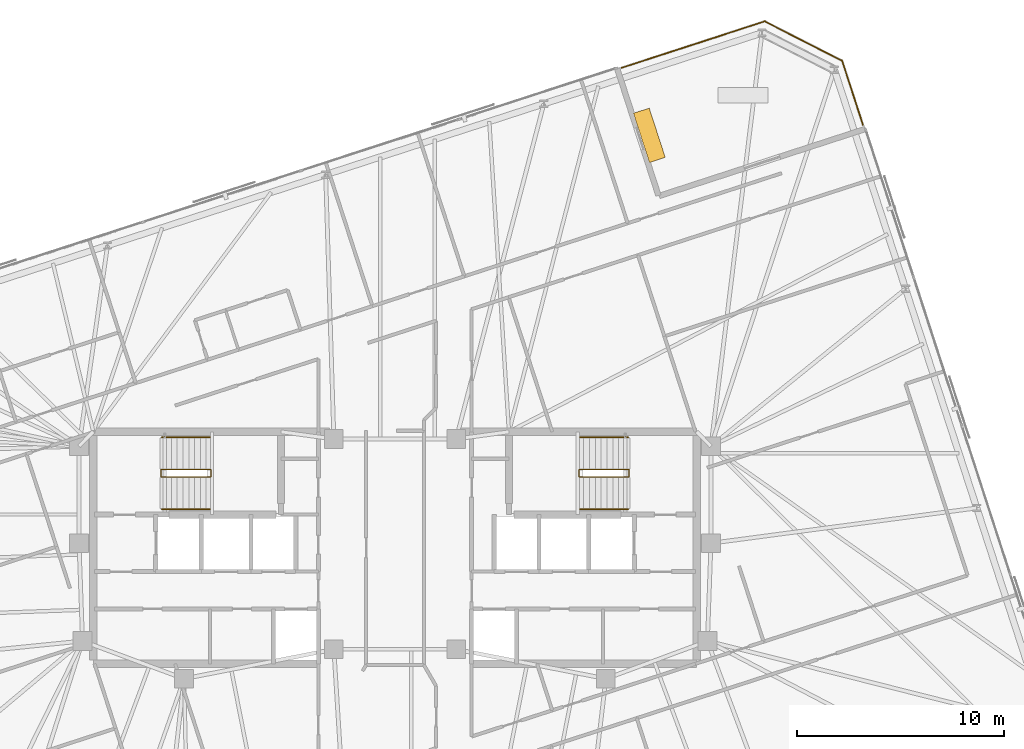
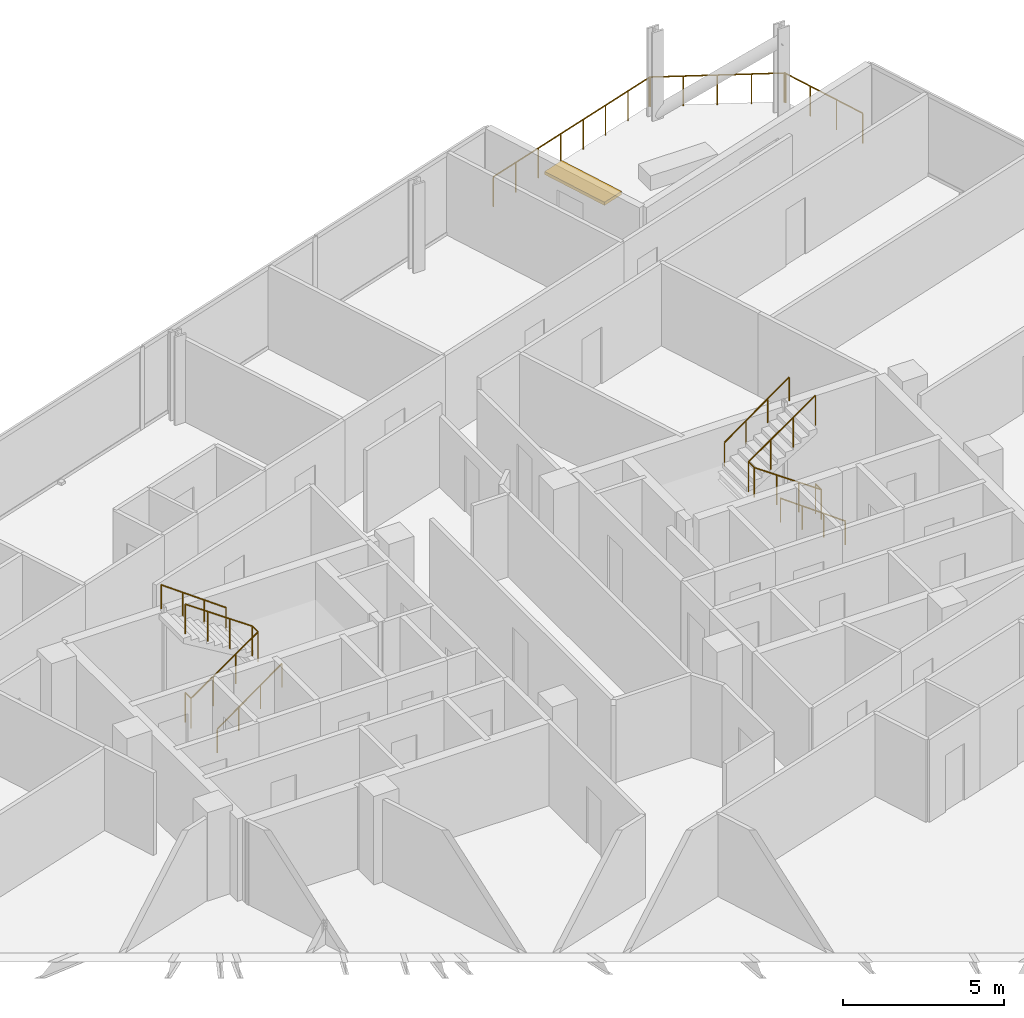
# One storey, part 19 of 19: 9 railings, 1 shading device.
"""IFC4 building model written with IfcOpenShell, lengths in metres."""

from ifc_helpers import new_model, si_unit, direction, frame, origin, origin_2d, place, context, subcontext, project, spatial, rectangle, circle, extrude, material, layer, layer_set, type_object, element, save


model = new_model("IFC4")

# Units and contexts
model_context = context("Model", 3, precision=1e-05, world=origin(), true_north=direction((0.0, 1.0)))
body_context = subcontext(model_context, "Body", "Model", "MODEL_VIEW")
ifc_project = project(units=[si_unit("LENGTHUNIT", "METRE"), si_unit("AREAUNIT", "SQUARE_METRE"), si_unit("VOLUMEUNIT", "CUBIC_METRE"), si_unit("PLANEANGLEUNIT", "RADIAN"), si_unit("MASSUNIT", "GRAM", prefix="KILO")], contexts=[model_context])

# Site, building, storey
site_placement = place(None, origin())
site = spatial("IfcSite", under=ifc_project, at=site_placement, CompositionType="ELEMENT")
building_placement = place(site_placement, origin())
building = spatial("IfcBuilding", under=site, at=building_placement, Name="Menara Jurai Vektor", CompositionType="ELEMENT")
storey_placement = place(building_placement, frame((0.0, 0.0, 231.0)))
storey = spatial("IfcBuildingStorey", under=building, at=storey_placement, Name="L61", CompositionType="ELEMENT", Elevation=231.0)

# Railings
ifc_material_1 = material(Name="Anodised Pale Aluminium & Laminated Glass Guardrail", Category="aluminium")
ifc_layer = layer(ifc_material_1, 0.070068359375)
ifc_layer_set = layer_set([ifc_layer], Name="Anodised Pale Aluminium & Laminated Glass Guardrail")
railing_type_1 = type_object("IfcRailingType", Name="ENV-RAIL-TER115", PredefinedType="GUARDRAIL", material=ifc_layer_set)
railing_1_placement = place(storey_placement, frame((22.5859375, 20.409423828125, 0.0)))
element("IfcRailing", 1, at=railing_1_placement, inside=storey, type_object=railing_type_1, Name="Spiral Terrace Guardrail L61-CRN-01", PredefinedType="GUARDRAIL", context=body_context, shape_type="SweptSolid", body=[
    extrude(circle(Radius=0.02392578125, at=origin_2d()), frame((0.0, 0.0, 1.1259765625), z_axis=(-0.30896152777, 0.9510745367, 0.0), x_axis=(-0.9510745367, -0.30896152777, 0.0)), (0.0, 0.0, 1.0), 3.280029296875),
    extrude(circle(Radius=0.02099609375, at=origin_2d()), origin(), (0.0, 0.0, 1.0), 1.101806640625),
    extrude(circle(Radius=0.02099609375, at=origin_2d()), frame((-0.337890625, 1.039794921875, 0.0)), (0.0, 0.0, 1.0), 1.101806640625),
    extrude(circle(Radius=0.02099609375, at=origin_2d()), frame((-0.675537109375, 2.079833984375, 0.0)), (0.0, 0.0, 1.0), 1.101806640625),
    extrude(circle(Radius=0.02099609375, at=origin_2d()), frame((-1.013427734375, 3.11962890625, 0.0)), (0.0, 0.0, 1.0), 1.101806640625),
])
railing_2_placement = place(storey_placement, frame((21.602294921875, 23.493896484375, 0.0)))
element("IfcRailing", 2, at=railing_2_placement, inside=storey, type_object=railing_type_1, Name="Spiral Terrace Guardrail L61-CRN-02", PredefinedType="GUARDRAIL", context=body_context, shape_type="SweptSolid", body=[
    extrude(circle(Radius=0.02392578125, at=origin_2d()), frame((0.0, 0.0, 1.1259765625), z_axis=(-0.890994700768, 0.454013703762, 0.0), x_axis=(-0.454013703762, -0.890994700768, 0.0)), (0.0, 0.0, 1.0), 4.24267578125),
    extrude(circle(Radius=0.02099609375, at=origin_2d()), origin(), (0.0, 0.0, 1.0), 1.101806640625),
    extrude(circle(Radius=0.02099609375, at=origin_2d()), frame((-0.945068359375, 0.4814453125, 0.0)), (0.0, 0.0, 1.0), 1.101806640625),
    extrude(circle(Radius=0.02099609375, at=origin_2d()), frame((-1.89013671875, 0.963134765625, 0.0)), (0.0, 0.0, 1.0), 1.101806640625),
    extrude(circle(Radius=0.02099609375, at=origin_2d()), frame((-2.835205078125, 1.44482421875, 0.0)), (0.0, 0.0, 1.0), 1.101806640625),
    extrude(circle(Radius=0.02099609375, at=origin_2d()), frame((-3.7802734375, 1.92626953125, 0.0)), (0.0, 0.0, 1.0), 1.101806640625),
])
railing_3_placement = place(storey_placement, frame((17.86767578125, 25.41650390625, 0.0)))
element("IfcRailing", 3, at=railing_3_placement, inside=storey, type_object=railing_type_1, Name="Spiral Terrace Guardrail L61-CRN-03", PredefinedType="GUARDRAIL", context=body_context, shape_type="SweptSolid", body=[
    extrude(circle(Radius=0.02392578125, at=origin_2d()), frame((0.0, 0.0, 1.1259765625), z_axis=(-0.951060435656, -0.309004931561, 0.0), x_axis=(0.309004931561, -0.951060435656, 0.0)), (0.0, 0.0, 1.0), 7.27978515625),
    extrude(circle(Radius=0.02099609375, at=origin_2d()), origin(), (0.0, 0.0, 1.0), 1.101806640625),
    extrude(circle(Radius=0.02099609375, at=origin_2d()), frame((-0.989013671875, -0.3212890625, 0.0)), (0.0, 0.0, 1.0), 1.101806640625),
    extrude(circle(Radius=0.02099609375, at=origin_2d()), frame((-1.978271484375, -0.642822265625, 0.0)), (0.0, 0.0, 1.0), 1.101806640625),
    extrude(circle(Radius=0.02099609375, at=origin_2d()), frame((-2.96728515625, -0.964111328125, 0.0)), (0.0, 0.0, 1.0), 1.101806640625),
    extrude(circle(Radius=0.02099609375, at=origin_2d()), frame((-3.956298828125, -1.285400390625, 0.0)), (0.0, 0.0, 1.0), 1.101806640625),
    extrude(circle(Radius=0.02099609375, at=origin_2d()), frame((-4.9453125, -1.606689453125, 0.0)), (0.0, 0.0, 1.0), 1.101806640625),
    extrude(circle(Radius=0.02099609375, at=origin_2d()), frame((-5.9345703125, -1.92822265625, 0.0)), (0.0, 0.0, 1.0), 1.101806640625),
    extrude(circle(Radius=0.02099609375, at=origin_2d()), frame((-6.923583984375, -2.24951171875, 0.0)), (0.0, 0.0, 1.0), 1.101806640625),
])

# Shading device
ifc_material_2 = material(Name="Anodised Pale Aluminium Sunshade Blade", Category="aluminium")
shading_device_type = type_object("IfcShadingDeviceType", Name="ENV-SHD-SUNSHADE", PredefinedType="USERDEFINED", material=ifc_material_2)
shading_device_placement = place(storey_placement, frame((12.276611328125, 19.906982421875, 2.33984375), z_axis=(0.0, 0.0, 1.0), x_axis=(-0.309016994375, 0.951056516295, 0.0)))
element("IfcShadingDevice", 4, at=shading_device_placement, inside=storey, type_object=shading_device_type, Name="Doorway Pale-Metal Sunshade L61-TER", ObjectType="SUNSHADE", PredefinedType="USERDEFINED", context=body_context, shape_type="SweptSolid", body=[
    extrude(rectangle(XDim=2.5, YDim=0.800048828125, at=origin_2d()), origin(), (0.0, 0.0, 1.0), 0.1201171875),
])

# Railings
ifc_material_3 = material(Name="Painted Galvanised Steel Balustrade", Category="steel")
railing_type_2 = type_object("IfcRailingType", Name="RAIL-STAIR-GUARD", PredefinedType="GUARDRAIL", material=ifc_material_3)
railing_4_placement = place(storey_placement, frame((-11.2900390625, 3.780029296875, 0.0)))
element("IfcRailing", 5, at=railing_4_placement, inside=storey, type_object=railing_type_2, Name="ST1 Stair Guardrail 1 L61", PredefinedType="GUARDRAIL", context=body_context, shape_type="SweptSolid", body=[
    extrude(circle(Radius=0.02392578125, at=origin_2d()), frame((0.0, 0.0, 1.1259765625), z_axis=(0.0, -1.0, 0.0), x_axis=(1.0, 0.0, 0.0)), (0.0, 0.0, 1.0), 0.360107421875),
    extrude(circle(Radius=0.02392578125, at=origin_2d()), frame((0.0, -0.360107421875, 1.1259765625), z_axis=(0.820042287322, 0.0, 0.572302932898), x_axis=(0.0, 1.0, 0.0)), (0.0, 0.0, 1.0), 2.9267578125),
    extrude(circle(Radius=0.02392578125, at=origin_2d()), frame((2.400146484375, -0.360107421875, 2.80078125), z_axis=(0.0, 1.0, 0.0), x_axis=(-1.0, 0.0, 0.0)), (0.0, 0.0, 1.0), 0.360107421875),
    extrude(circle(Radius=0.02392578125, at=origin_2d()), frame((2.400146484375, 0.0, 2.80078125), z_axis=(-0.820042287322, 0.0, 0.572302932898), x_axis=(0.0, -1.0, 0.0)), (0.0, 0.0, 1.0), 2.9267578125),
    extrude(circle(Radius=0.02099609375, at=origin_2d()), origin(), (0.0, 0.0, 1.0), 1.101806640625),
    extrude(circle(Radius=0.02099609375, at=origin_2d()), frame((0.0, -0.360107421875, 0.0)), (0.0, 0.0, 1.0), 1.101806640625),
    extrude(circle(Radius=0.02099609375, at=origin_2d()), frame((0.800048828125, -0.360107421875, 0.558349609375)), (0.0, 0.0, 1.0), 1.101806640625),
    extrude(circle(Radius=0.02099609375, at=origin_2d()), frame((1.60009765625, -0.360107421875, 1.11669921875)), (0.0, 0.0, 1.0), 1.101806640625),
    extrude(circle(Radius=0.02099609375, at=origin_2d()), frame((2.400146484375, -0.360107421875, 1.675048828125)), (0.0, 0.0, 1.0), 1.101806640625),
    extrude(circle(Radius=0.02099609375, at=origin_2d()), frame((2.400146484375, 0.0, 1.675048828125)), (0.0, 0.0, 1.0), 1.101806640625),
    extrude(circle(Radius=0.02099609375, at=origin_2d()), frame((1.60009765625, 0.0, 2.2333984375)), (0.0, 0.0, 1.0), 1.101806640625),
    extrude(circle(Radius=0.02099609375, at=origin_2d()), frame((0.800048828125, 0.0, 2.791748046875)), (0.0, 0.0, 1.0), 1.101806640625),
    extrude(circle(Radius=0.02099609375, at=origin_2d()), frame((0.0, 0.0, 3.35009765625)), (0.0, 0.0, 1.0), 1.101806640625),
])
railing_5_placement = place(storey_placement, frame((11.2900390625, 3.780029296875, 0.0)))
element("IfcRailing", 6, at=railing_5_placement, inside=storey, type_object=railing_type_2, Name="ST2 Stair Guardrail 1 L61", PredefinedType="GUARDRAIL", context=body_context, shape_type="SweptSolid", body=[
    extrude(circle(Radius=0.02392578125, at=origin_2d()), frame((0.0, 0.0, 1.1259765625), z_axis=(0.0, -1.0, 0.0), x_axis=(1.0, 0.0, 0.0)), (0.0, 0.0, 1.0), 0.360107421875),
    extrude(circle(Radius=0.02392578125, at=origin_2d()), frame((0.0, -0.360107421875, 1.1259765625), z_axis=(-0.820042287322, 0.0, 0.572302932898), x_axis=(0.0, -1.0, 0.0)), (0.0, 0.0, 1.0), 2.9267578125),
    extrude(circle(Radius=0.02392578125, at=origin_2d()), frame((-2.400146484375, -0.360107421875, 2.80078125), z_axis=(0.0, 1.0, 0.0), x_axis=(-1.0, 0.0, 0.0)), (0.0, 0.0, 1.0), 0.360107421875),
    extrude(circle(Radius=0.02392578125, at=origin_2d()), frame((-2.400146484375, 0.0, 2.80078125), z_axis=(0.820042287322, 0.0, 0.572302932898), x_axis=(0.0, 1.0, 0.0)), (0.0, 0.0, 1.0), 2.9267578125),
    extrude(circle(Radius=0.02099609375, at=origin_2d()), origin(), (0.0, 0.0, 1.0), 1.101806640625),
    extrude(circle(Radius=0.02099609375, at=origin_2d()), frame((0.0, -0.360107421875, 0.0)), (0.0, 0.0, 1.0), 1.101806640625),
    extrude(circle(Radius=0.02099609375, at=origin_2d()), frame((-0.800048828125, -0.360107421875, 0.558349609375)), (0.0, 0.0, 1.0), 1.101806640625),
    extrude(circle(Radius=0.02099609375, at=origin_2d()), frame((-1.60009765625, -0.360107421875, 1.11669921875)), (0.0, 0.0, 1.0), 1.101806640625),
    extrude(circle(Radius=0.02099609375, at=origin_2d()), frame((-2.400146484375, -0.360107421875, 1.675048828125)), (0.0, 0.0, 1.0), 1.101806640625),
    extrude(circle(Radius=0.02099609375, at=origin_2d()), frame((-2.400146484375, 0.0, 1.675048828125)), (0.0, 0.0, 1.0), 1.101806640625),
    extrude(circle(Radius=0.02099609375, at=origin_2d()), frame((-1.60009765625, 0.0, 2.2333984375)), (0.0, 0.0, 1.0), 1.101806640625),
    extrude(circle(Radius=0.02099609375, at=origin_2d()), frame((-0.800048828125, 0.0, 2.791748046875)), (0.0, 0.0, 1.0), 1.101806640625),
    extrude(circle(Radius=0.02099609375, at=origin_2d()), frame((0.0, 0.0, 3.35009765625)), (0.0, 0.0, 1.0), 1.101806640625),
])
ifc_material_4 = material(Name="Brushed Stainless Steel Handrail", Category="steel")
railing_type_3 = type_object("IfcRailingType", Name="RAIL-STAIR-HAND", PredefinedType="HANDRAIL", material=ifc_material_4)
railing_6_placement = place(storey_placement, frame((-11.25, 1.860107421875, 0.0)))
element("IfcRailing", 7, at=railing_6_placement, inside=storey, type_object=railing_type_3, Name="ST1 Stair Handrail 1 L61", PredefinedType="HANDRAIL", context=body_context, shape_type="SweptSolid", body=[
    extrude(circle(Radius=0.02392578125, at=origin_2d()), frame((0.0, 0.0, 0.89599609375), z_axis=(0.810771458067, 0.0, 0.585362830032), x_axis=(0.0, 1.0, 0.0)), (0.0, 0.0, 1.0), 2.861572265625),
    extrude(circle(Radius=0.02099609375, at=origin_2d()), origin(), (0.0, 0.0, 1.0), 0.871826171875),
    extrude(circle(Radius=0.02099609375, at=origin_2d()), frame((0.7734375, 0.0, 0.558349609375)), (0.0, 0.0, 1.0), 0.871826171875),
    extrude(circle(Radius=0.02099609375, at=origin_2d()), frame((1.546630859375, 0.0, 1.11669921875)), (0.0, 0.0, 1.0), 0.871826171875),
    extrude(circle(Radius=0.02099609375, at=origin_2d()), frame((2.320068359375, 0.0, 1.675048828125)), (0.0, 0.0, 1.0), 0.871826171875),
])
for number, where, name in (
    (8, (-8.929931640625, 5.340087890625, 1.675048828125), "ST1 Stair Handrail 2 L61"),
    (9, (11.25, 1.860107421875, 0.0), "ST2 Stair Handrail 1 L61"),
):
    element("IfcRailing", number, at=place(storey_placement, frame(where)), inside=storey, type_object=railing_type_3, Name=name, PredefinedType="HANDRAIL", context=body_context, shape_type="SweptSolid", body=[
        extrude(circle(Radius=0.02392578125, at=origin_2d()), frame((0.0, 0.0, 0.89599609375), z_axis=(-0.810771458067, 0.0, 0.585362830032), x_axis=(0.0, -1.0, 0.0)), (0.0, 0.0, 1.0), 2.861572265625),
        extrude(circle(Radius=0.02099609375, at=origin_2d()), origin(), (0.0, 0.0, 1.0), 0.871826171875),
        extrude(circle(Radius=0.02099609375, at=origin_2d()), frame((-0.7734375, 0.0, 0.558349609375)), (0.0, 0.0, 1.0), 0.871826171875),
        extrude(circle(Radius=0.02099609375, at=origin_2d()), frame((-1.546630859375, 0.0, 1.11669921875)), (0.0, 0.0, 1.0), 0.871826171875),
        extrude(circle(Radius=0.02099609375, at=origin_2d()), frame((-2.320068359375, 0.0, 1.675048828125)), (0.0, 0.0, 1.0), 0.871826171875),
    ])
railing_7_placement = place(storey_placement, frame((8.929931640625, 5.340087890625, 1.675048828125)))
element("IfcRailing", 10, at=railing_7_placement, inside=storey, type_object=railing_type_3, Name="ST2 Stair Handrail 2 L61", PredefinedType="HANDRAIL", context=body_context, shape_type="SweptSolid", body=[
    extrude(circle(Radius=0.02392578125, at=origin_2d()), frame((0.0, 0.0, 0.89599609375), z_axis=(0.810771458067, 0.0, 0.585362830032), x_axis=(0.0, 1.0, 0.0)), (0.0, 0.0, 1.0), 2.861572265625),
    extrude(circle(Radius=0.02099609375, at=origin_2d()), origin(), (0.0, 0.0, 1.0), 0.871826171875),
    extrude(circle(Radius=0.02099609375, at=origin_2d()), frame((0.7734375, 0.0, 0.558349609375)), (0.0, 0.0, 1.0), 0.871826171875),
    extrude(circle(Radius=0.02099609375, at=origin_2d()), frame((1.546630859375, 0.0, 1.11669921875)), (0.0, 0.0, 1.0), 0.871826171875),
    extrude(circle(Radius=0.02099609375, at=origin_2d()), frame((2.320068359375, 0.0, 1.675048828125)), (0.0, 0.0, 1.0), 0.871826171875),
])

save(model, "model.ifc")
